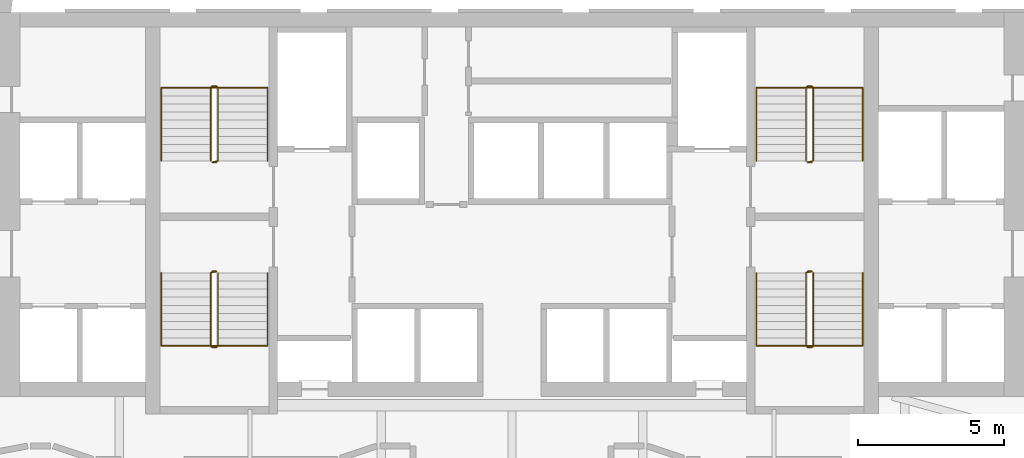
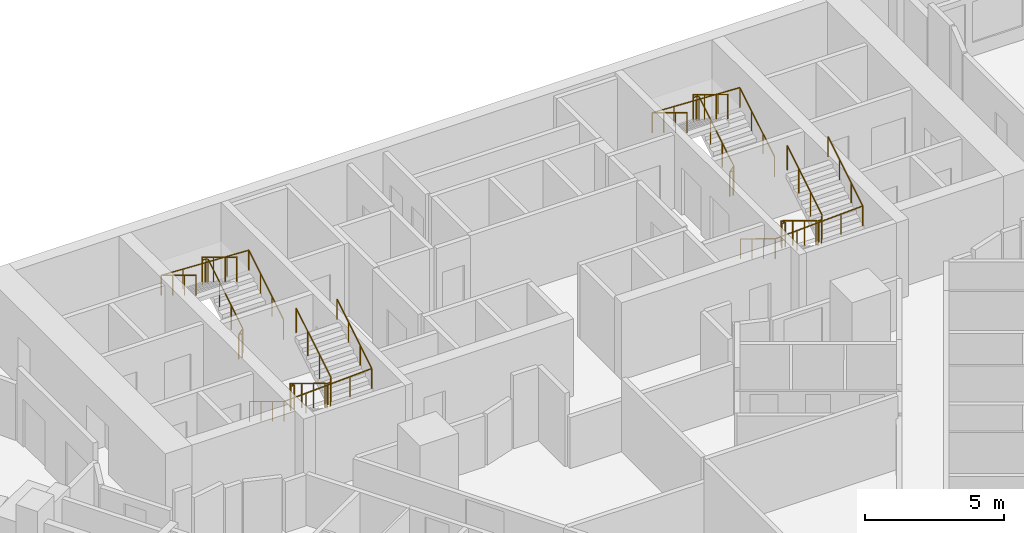
# One storey, part 12 of 12: 8 railings.
"""IFC4 building model written with IfcOpenShell, lengths in metres."""

from ifc_helpers import new_model, si_unit, direction, frame, origin, origin_2d, place, context, subcontext, project, spatial, circle, extrude, material, type_object, element, save


model = new_model("IFC4")

# Units and contexts
model_context = context("Model", 3, precision=1e-05, world=origin(), true_north=direction((0.0, 1.0)))
body_context = subcontext(model_context, "Body", "Model", "MODEL_VIEW")
ifc_project = project(units=[si_unit("LENGTHUNIT", "METRE"), si_unit("AREAUNIT", "SQUARE_METRE"), si_unit("VOLUMEUNIT", "CUBIC_METRE"), si_unit("PLANEANGLEUNIT", "RADIAN"), si_unit("MASSUNIT", "GRAM", prefix="KILO")], contexts=[model_context])

# Site, building, storey
site_placement = place(None, origin())
site = spatial("IfcSite", under=ifc_project, at=site_placement, CompositionType="ELEMENT")
building_placement = place(site_placement, origin())
building = spatial("IfcBuilding", under=site, at=building_placement, Name="Calabash Gate Tower", CompositionType="ELEMENT")
storey_placement = place(building_placement, frame((0.0, 0.0, 80.0)))
storey = spatial("IfcBuildingStorey", under=building, at=storey_placement, Name="L16", CompositionType="ELEMENT", Elevation=80.0)

# Railings
ifc_material_1 = material(Name="Black powder-coated steel balusters", Category="steel")
railing_type_1 = type_object("IfcRailingType", Name="Stair guard RL1100", PredefinedType="GUARDRAIL", material=ifc_material_1)
railing_1_placement = place(storey_placement, frame((-10.14990234375, 13.902587890625, 0.0)))
element("IfcRailing", 1, at=railing_1_placement, inside=storey, type_object=railing_type_1, Name="L16 ST1 stair guard 1", PredefinedType="GUARDRAIL", context=body_context, shape_type="SweptSolid", body=[
    extrude(circle(Radius=0.02392578125, at=origin_2d()), frame((0.0, 0.0, 1.076171875), z_axis=(-1.0, 0.0, 0.0), x_axis=(0.0, -1.0, 0.0)), (0.0, 0.0, 1.0), 0.150146484375),
    extrude(circle(Radius=0.02392578125, at=origin_2d()), frame((-0.150146484375, 0.0, 1.076171875), z_axis=(0.748514443355, 0.187357095101, 0.636100186295), x_axis=(-0.242814311512, 0.970072785993, 0.0)), (0.0, 0.0, 1.0), 0.26708984375),
    extrude(circle(Radius=0.02392578125, at=origin_2d()), frame((0.0498046875, 0.050048828125, 1.24609375), z_axis=(0.0, 0.853956361026, 0.520344629514), x_axis=(-1.0, 0.0, 0.0)), (0.0, 0.0, 1.0), 2.9404296875),
    extrude(circle(Radius=0.02392578125, at=origin_2d()), frame((0.0498046875, 2.56103515625, 2.77587890625), z_axis=(-0.705375805398, 0.708833529934, 0.0), x_axis=(-0.708833529934, -0.705375805398, 0.0)), (0.0, 0.0, 1.0), 0.070556640625),
    extrude(circle(Radius=0.02392578125, at=origin_2d()), frame((0.0, 2.611083984375, 2.77587890625), z_axis=(-1.0, 0.0, 0.0), x_axis=(0.0, -1.0, 0.0)), (0.0, 0.0, 1.0), 0.150146484375),
    extrude(circle(Radius=0.02392578125, at=origin_2d()), frame((-0.150146484375, 2.611083984375, 2.77587890625), z_axis=(-0.271562723297, -0.271562723297, 0.923313259209), x_axis=(0.707106781187, -0.707106781187, 0.0)), (0.0, 0.0, 1.0), 0.184326171875),
    extrude(circle(Radius=0.02392578125, at=origin_2d()), frame((-0.2001953125, 2.56103515625, 2.9462890625), z_axis=(0.0, -0.853993254676, 0.52028407718), x_axis=(1.0, 0.0, 0.0)), (0.0, 0.0, 1.0), 2.940185546875),
    extrude(circle(Radius=0.02099609375, at=origin_2d()), origin(), (0.0, 0.0, 1.0), 1.052001953125),
    extrude(circle(Radius=0.02099609375, at=origin_2d()), frame((-0.150146484375, 0.0, 0.0)), (0.0, 0.0, 1.0), 1.052001953125),
    extrude(circle(Radius=0.02099609375, at=origin_2d()), frame((0.0498046875, 0.050048828125, 0.169921875)), (0.0, 0.0, 1.0), 1.052001953125),
    extrude(circle(Radius=0.02099609375, at=origin_2d()), frame((0.0498046875, 0.886962890625, 0.679931640625)), (0.0, 0.0, 1.0), 1.052001953125),
    extrude(circle(Radius=0.02099609375, at=origin_2d()), frame((0.0498046875, 1.72412109375, 1.18994140625)), (0.0, 0.0, 1.0), 1.052001953125),
    extrude(circle(Radius=0.02099609375, at=origin_2d()), frame((0.0498046875, 2.56103515625, 1.699951171875)), (0.0, 0.0, 1.0), 1.052001953125),
    extrude(circle(Radius=0.02099609375, at=origin_2d()), frame((0.0, 2.611083984375, 1.699951171875)), (0.0, 0.0, 1.0), 1.052001953125),
    extrude(circle(Radius=0.02099609375, at=origin_2d()), frame((-0.150146484375, 2.611083984375, 1.699951171875)), (0.0, 0.0, 1.0), 1.052001953125),
    extrude(circle(Radius=0.02099609375, at=origin_2d()), frame((-0.2001953125, 2.56103515625, 1.8701171875)), (0.0, 0.0, 1.0), 1.052001953125),
    extrude(circle(Radius=0.02099609375, at=origin_2d()), frame((-0.2001953125, 1.72412109375, 2.380126953125)), (0.0, 0.0, 1.0), 1.052001953125),
    extrude(circle(Radius=0.02099609375, at=origin_2d()), frame((-0.2001953125, 0.886962890625, 2.889892578125)), (0.0, 0.0, 1.0), 1.052001953125),
    extrude(circle(Radius=0.02099609375, at=origin_2d()), frame((-0.2001953125, 0.050048828125, 3.39990234375)), (0.0, 0.0, 1.0), 1.052001953125),
])
railing_2_placement = place(storey_placement, frame((-10.300048828125, 10.152587890625, 0.0)))
element("IfcRailing", 2, at=railing_2_placement, inside=storey, type_object=railing_type_1, Name="L16 ST2 stair guard 1", PredefinedType="GUARDRAIL", context=body_context, shape_type="SweptSolid", body=[
    extrude(circle(Radius=0.02392578125, at=origin_2d()), frame((0.0, 0.0, 1.076171875), z_axis=(1.0, 0.0, 0.0), x_axis=(0.0, 1.0, 0.0)), (0.0, 0.0, 1.0), 0.150146484375),
    extrude(circle(Radius=0.02392578125, at=origin_2d()), frame((0.150146484375, 0.0, 1.076171875), z_axis=(-0.748915913269, -0.187228978317, 0.635665214189), x_axis=(0.242535625036, -0.970142500145, 0.0)), (0.0, 0.0, 1.0), 0.267333984375),
    extrude(circle(Radius=0.02392578125, at=origin_2d()), frame((-0.050048828125, -0.050048828125, 1.24609375), z_axis=(0.0, -0.853956361026, 0.520344629514), x_axis=(1.0, 0.0, 0.0)), (0.0, 0.0, 1.0), 2.9404296875),
    extrude(circle(Radius=0.02392578125, at=origin_2d()), frame((-0.050048828125, -2.56103515625, 2.77587890625), z_axis=(0.707106781187, -0.707106781187, 0.0), x_axis=(0.707106781187, 0.707106781187, 0.0)), (0.0, 0.0, 1.0), 0.07080078125),
    extrude(circle(Radius=0.02392578125, at=origin_2d()), frame((0.0, -2.611083984375, 2.77587890625), z_axis=(1.0, 0.0, 0.0), x_axis=(0.0, 1.0, 0.0)), (0.0, 0.0, 1.0), 0.150146484375),
    extrude(circle(Radius=0.02392578125, at=origin_2d()), frame((0.150146484375, -2.611083984375, 2.77587890625), z_axis=(0.270335057127, 0.271660228976, 0.923644778517), x_axis=(-0.708833529934, 0.705375805398, 0.0)), (0.0, 0.0, 1.0), 0.184326171875),
    extrude(circle(Radius=0.02392578125, at=origin_2d()), frame((0.199951171875, -2.56103515625, 2.9462890625), z_axis=(0.0, 0.853993254676, 0.52028407718), x_axis=(-1.0, 0.0, 0.0)), (0.0, 0.0, 1.0), 2.940185546875),
    extrude(circle(Radius=0.02099609375, at=origin_2d()), origin(), (0.0, 0.0, 1.0), 1.052001953125),
    extrude(circle(Radius=0.02099609375, at=origin_2d()), frame((0.150146484375, 0.0, 0.0)), (0.0, 0.0, 1.0), 1.052001953125),
    extrude(circle(Radius=0.02099609375, at=origin_2d()), frame((-0.050048828125, -0.050048828125, 0.169921875)), (0.0, 0.0, 1.0), 1.052001953125),
    extrude(circle(Radius=0.02099609375, at=origin_2d()), frame((-0.050048828125, -0.886962890625, 0.679931640625)), (0.0, 0.0, 1.0), 1.052001953125),
    extrude(circle(Radius=0.02099609375, at=origin_2d()), frame((-0.050048828125, -1.72412109375, 1.18994140625)), (0.0, 0.0, 1.0), 1.052001953125),
    extrude(circle(Radius=0.02099609375, at=origin_2d()), frame((-0.050048828125, -2.56103515625, 1.699951171875)), (0.0, 0.0, 1.0), 1.052001953125),
    extrude(circle(Radius=0.02099609375, at=origin_2d()), frame((0.0, -2.611083984375, 1.699951171875)), (0.0, 0.0, 1.0), 1.052001953125),
    extrude(circle(Radius=0.02099609375, at=origin_2d()), frame((0.150146484375, -2.611083984375, 1.699951171875)), (0.0, 0.0, 1.0), 1.052001953125),
    extrude(circle(Radius=0.02099609375, at=origin_2d()), frame((0.199951171875, -2.56103515625, 1.8701171875)), (0.0, 0.0, 1.0), 1.052001953125),
    extrude(circle(Radius=0.02099609375, at=origin_2d()), frame((0.199951171875, -1.72412109375, 2.380126953125)), (0.0, 0.0, 1.0), 1.052001953125),
    extrude(circle(Radius=0.02099609375, at=origin_2d()), frame((0.199951171875, -0.886962890625, 2.889892578125)), (0.0, 0.0, 1.0), 1.052001953125),
    extrude(circle(Radius=0.02099609375, at=origin_2d()), frame((0.199951171875, -0.050048828125, 3.39990234375)), (0.0, 0.0, 1.0), 1.052001953125),
])
railing_3_placement = place(storey_placement, frame((10.300048828125, 13.902587890625, 0.0)))
element("IfcRailing", 3, at=railing_3_placement, inside=storey, type_object=railing_type_1, Name="L16 ST3 stair guard 1", PredefinedType="GUARDRAIL", context=body_context, shape_type="SweptSolid", body=[
    extrude(circle(Radius=0.02392578125, at=origin_2d()), frame((0.0, 0.0, 1.076171875), z_axis=(-1.0, 0.0, 0.0), x_axis=(0.0, -1.0, 0.0)), (0.0, 0.0, 1.0), 0.150146484375),
    extrude(circle(Radius=0.02392578125, at=origin_2d()), frame((-0.150146484375, 0.0, 1.076171875), z_axis=(0.748915913269, 0.187228978317, 0.635665214189), x_axis=(-0.242535625036, 0.970142500145, 0.0)), (0.0, 0.0, 1.0), 0.267333984375),
    extrude(circle(Radius=0.02392578125, at=origin_2d()), frame((0.050048828125, 0.050048828125, 1.24609375), z_axis=(0.0, 0.853956361026, 0.520344629514), x_axis=(-1.0, 0.0, 0.0)), (0.0, 0.0, 1.0), 2.9404296875),
    extrude(circle(Radius=0.02392578125, at=origin_2d()), frame((0.050048828125, 2.56103515625, 2.77587890625), z_axis=(-0.707106781187, 0.707106781187, 0.0), x_axis=(-0.707106781187, -0.707106781187, 0.0)), (0.0, 0.0, 1.0), 0.07080078125),
    extrude(circle(Radius=0.02392578125, at=origin_2d()), frame((0.0, 2.611083984375, 2.77587890625), z_axis=(-1.0, 0.0, 0.0), x_axis=(0.0, -1.0, 0.0)), (0.0, 0.0, 1.0), 0.150146484375),
    extrude(circle(Radius=0.02392578125, at=origin_2d()), frame((-0.150146484375, 2.611083984375, 2.77587890625), z_axis=(-0.270335057127, -0.271660228976, 0.923644778517), x_axis=(0.708833529934, -0.705375805398, 0.0)), (0.0, 0.0, 1.0), 0.184326171875),
    extrude(circle(Radius=0.02392578125, at=origin_2d()), frame((-0.199951171875, 2.56103515625, 2.9462890625), z_axis=(0.0, -0.853993254676, 0.52028407718), x_axis=(1.0, 0.0, 0.0)), (0.0, 0.0, 1.0), 2.940185546875),
    extrude(circle(Radius=0.02099609375, at=origin_2d()), origin(), (0.0, 0.0, 1.0), 1.052001953125),
    extrude(circle(Radius=0.02099609375, at=origin_2d()), frame((-0.150146484375, 0.0, 0.0)), (0.0, 0.0, 1.0), 1.052001953125),
    extrude(circle(Radius=0.02099609375, at=origin_2d()), frame((0.050048828125, 0.050048828125, 0.169921875)), (0.0, 0.0, 1.0), 1.052001953125),
    extrude(circle(Radius=0.02099609375, at=origin_2d()), frame((0.050048828125, 0.886962890625, 0.679931640625)), (0.0, 0.0, 1.0), 1.052001953125),
    extrude(circle(Radius=0.02099609375, at=origin_2d()), frame((0.050048828125, 1.72412109375, 1.18994140625)), (0.0, 0.0, 1.0), 1.052001953125),
    extrude(circle(Radius=0.02099609375, at=origin_2d()), frame((0.050048828125, 2.56103515625, 1.699951171875)), (0.0, 0.0, 1.0), 1.052001953125),
    extrude(circle(Radius=0.02099609375, at=origin_2d()), frame((0.0, 2.611083984375, 1.699951171875)), (0.0, 0.0, 1.0), 1.052001953125),
    extrude(circle(Radius=0.02099609375, at=origin_2d()), frame((-0.150146484375, 2.611083984375, 1.699951171875)), (0.0, 0.0, 1.0), 1.052001953125),
    extrude(circle(Radius=0.02099609375, at=origin_2d()), frame((-0.199951171875, 2.56103515625, 1.8701171875)), (0.0, 0.0, 1.0), 1.052001953125),
    extrude(circle(Radius=0.02099609375, at=origin_2d()), frame((-0.199951171875, 1.72412109375, 2.380126953125)), (0.0, 0.0, 1.0), 1.052001953125),
    extrude(circle(Radius=0.02099609375, at=origin_2d()), frame((-0.199951171875, 0.886962890625, 2.889892578125)), (0.0, 0.0, 1.0), 1.052001953125),
    extrude(circle(Radius=0.02099609375, at=origin_2d()), frame((-0.199951171875, 0.050048828125, 3.39990234375)), (0.0, 0.0, 1.0), 1.052001953125),
])
railing_4_placement = place(storey_placement, frame((10.14990234375, 10.152587890625, 0.0)))
element("IfcRailing", 4, at=railing_4_placement, inside=storey, type_object=railing_type_1, Name="L16 ST4 stair guard 1", PredefinedType="GUARDRAIL", context=body_context, shape_type="SweptSolid", body=[
    extrude(circle(Radius=0.02392578125, at=origin_2d()), frame((0.0, 0.0, 1.076171875), z_axis=(1.0, 0.0, 0.0), x_axis=(0.0, 1.0, 0.0)), (0.0, 0.0, 1.0), 0.150146484375),
    extrude(circle(Radius=0.02392578125, at=origin_2d()), frame((0.150146484375, 0.0, 1.076171875), z_axis=(-0.748514443355, -0.187357095101, 0.636100186295), x_axis=(0.242814311512, -0.970072785993, 0.0)), (0.0, 0.0, 1.0), 0.26708984375),
    extrude(circle(Radius=0.02392578125, at=origin_2d()), frame((-0.0498046875, -0.050048828125, 1.24609375), z_axis=(0.0, -0.853956361026, 0.520344629514), x_axis=(1.0, 0.0, 0.0)), (0.0, 0.0, 1.0), 2.9404296875),
    extrude(circle(Radius=0.02392578125, at=origin_2d()), frame((-0.0498046875, -2.56103515625, 2.77587890625), z_axis=(0.705375805398, -0.708833529934, 0.0), x_axis=(0.708833529934, 0.705375805398, 0.0)), (0.0, 0.0, 1.0), 0.070556640625),
    extrude(circle(Radius=0.02392578125, at=origin_2d()), frame((0.0, -2.611083984375, 2.77587890625), z_axis=(1.0, 0.0, 0.0), x_axis=(0.0, 1.0, 0.0)), (0.0, 0.0, 1.0), 0.150146484375),
    extrude(circle(Radius=0.02392578125, at=origin_2d()), frame((0.150146484375, -2.611083984375, 2.77587890625), z_axis=(0.271562723297, 0.271562723297, 0.923313259209), x_axis=(-0.707106781187, 0.707106781187, 0.0)), (0.0, 0.0, 1.0), 0.184326171875),
    extrude(circle(Radius=0.02392578125, at=origin_2d()), frame((0.2001953125, -2.56103515625, 2.9462890625), z_axis=(0.0, 0.853993254676, 0.52028407718), x_axis=(-1.0, 0.0, 0.0)), (0.0, 0.0, 1.0), 2.940185546875),
    extrude(circle(Radius=0.02099609375, at=origin_2d()), origin(), (0.0, 0.0, 1.0), 1.052001953125),
    extrude(circle(Radius=0.02099609375, at=origin_2d()), frame((0.150146484375, 0.0, 0.0)), (0.0, 0.0, 1.0), 1.052001953125),
    extrude(circle(Radius=0.02099609375, at=origin_2d()), frame((-0.0498046875, -0.050048828125, 0.169921875)), (0.0, 0.0, 1.0), 1.052001953125),
    extrude(circle(Radius=0.02099609375, at=origin_2d()), frame((-0.0498046875, -0.886962890625, 0.679931640625)), (0.0, 0.0, 1.0), 1.052001953125),
    extrude(circle(Radius=0.02099609375, at=origin_2d()), frame((-0.0498046875, -1.72412109375, 1.18994140625)), (0.0, 0.0, 1.0), 1.052001953125),
    extrude(circle(Radius=0.02099609375, at=origin_2d()), frame((-0.0498046875, -2.56103515625, 1.699951171875)), (0.0, 0.0, 1.0), 1.052001953125),
    extrude(circle(Radius=0.02099609375, at=origin_2d()), frame((0.0, -2.611083984375, 1.699951171875)), (0.0, 0.0, 1.0), 1.052001953125),
    extrude(circle(Radius=0.02099609375, at=origin_2d()), frame((0.150146484375, -2.611083984375, 1.699951171875)), (0.0, 0.0, 1.0), 1.052001953125),
    extrude(circle(Radius=0.02099609375, at=origin_2d()), frame((0.2001953125, -2.56103515625, 1.8701171875)), (0.0, 0.0, 1.0), 1.052001953125),
    extrude(circle(Radius=0.02099609375, at=origin_2d()), frame((0.2001953125, -1.72412109375, 2.380126953125)), (0.0, 0.0, 1.0), 1.052001953125),
    extrude(circle(Radius=0.02099609375, at=origin_2d()), frame((0.2001953125, -0.886962890625, 2.889892578125)), (0.0, 0.0, 1.0), 1.052001953125),
    extrude(circle(Radius=0.02099609375, at=origin_2d()), frame((0.2001953125, -0.050048828125, 3.39990234375)), (0.0, 0.0, 1.0), 1.052001953125),
])
ifc_material_2 = material(Name="Black powder-coated steel tube 48 mm", Category="steel")
railing_type_2 = type_object("IfcRailingType", Name="Stair handrail RL900", PredefinedType="HANDRAIL", material=ifc_material_2)
railing_5_placement = place(storey_placement, frame((-8.39990234375, 13.95263671875, 0.169921875)))
element("IfcRailing", 5, at=railing_5_placement, inside=storey, type_object=railing_type_2, Name="L16 ST1 stair handrail 1", PredefinedType="HANDRAIL", context=body_context, shape_type="SweptSolid", body=[
    extrude(circle(Radius=0.02392578125, at=origin_2d()), frame((0.0, 0.0, 0.8759765625), z_axis=(0.0, 0.853956361026, 0.520344629514), x_axis=(-1.0, 0.0, 0.0)), (0.0, 0.0, 1.0), 2.9404296875),
    extrude(circle(Radius=0.02392578125, at=origin_2d()), frame((0.0, 2.510986328125, 2.40576171875), z_axis=(-0.99891510456, 0.0, 0.046568378562), x_axis=(0.0, -1.0, 0.0)), (0.0, 0.0, 1.0), 3.654052734375),
    extrude(circle(Radius=0.02392578125, at=origin_2d()), frame((-3.650146484375, 2.510986328125, 2.576171875), z_axis=(0.0, -0.853993254676, 0.52028407718), x_axis=(1.0, 0.0, 0.0)), (0.0, 0.0, 1.0), 2.940185546875),
    extrude(circle(Radius=0.02099609375, at=origin_2d()), origin(), (0.0, 0.0, 1.0), 0.851806640625),
    extrude(circle(Radius=0.02099609375, at=origin_2d()), frame((0.0, 0.8369140625, 0.510009765625)), (0.0, 0.0, 1.0), 0.851806640625),
    extrude(circle(Radius=0.02099609375, at=origin_2d()), frame((0.0, 1.674072265625, 1.02001953125)), (0.0, 0.0, 1.0), 0.851806640625),
    extrude(circle(Radius=0.02099609375, at=origin_2d()), frame((0.0, 2.510986328125, 1.530029296875)), (0.0, 0.0, 1.0), 0.851806640625),
    extrude(circle(Radius=0.02099609375, at=origin_2d()), frame((-0.91259765625, 2.510986328125, 1.572509765625)), (0.0, 0.0, 1.0), 0.851806640625),
    extrude(circle(Radius=0.02099609375, at=origin_2d()), frame((-1.8251953125, 2.510986328125, 1.615234375)), (0.0, 0.0, 1.0), 0.851806640625),
    extrude(circle(Radius=0.02099609375, at=origin_2d()), frame((-2.737548828125, 2.510986328125, 1.65771484375)), (0.0, 0.0, 1.0), 0.851806640625),
    extrude(circle(Radius=0.02099609375, at=origin_2d()), frame((-3.650146484375, 2.510986328125, 1.7001953125)), (0.0, 0.0, 1.0), 0.851806640625),
    extrude(circle(Radius=0.02099609375, at=origin_2d()), frame((-3.650146484375, 1.674072265625, 2.210205078125)), (0.0, 0.0, 1.0), 0.851806640625),
    extrude(circle(Radius=0.02099609375, at=origin_2d()), frame((-3.650146484375, 0.8369140625, 2.719970703125)), (0.0, 0.0, 1.0), 0.851806640625),
    extrude(circle(Radius=0.02099609375, at=origin_2d()), frame((-3.650146484375, 0.0, 3.22998046875)), (0.0, 0.0, 1.0), 0.851806640625),
])
railing_6_placement = place(storey_placement, frame((-12.050048828125, 10.1025390625, 0.169921875)))
element("IfcRailing", 6, at=railing_6_placement, inside=storey, type_object=railing_type_2, Name="L16 ST2 stair handrail 1", PredefinedType="HANDRAIL", context=body_context, shape_type="SweptSolid", body=[
    extrude(circle(Radius=0.02392578125, at=origin_2d()), frame((0.0, 0.0, 0.8759765625), z_axis=(0.0, -0.853956361026, 0.520344629514), x_axis=(1.0, 0.0, 0.0)), (0.0, 0.0, 1.0), 2.9404296875),
    extrude(circle(Radius=0.02392578125, at=origin_2d()), frame((0.0, -2.510986328125, 2.40576171875), z_axis=(0.99891510456, 0.0, 0.046568378562), x_axis=(0.0, 1.0, 0.0)), (0.0, 0.0, 1.0), 3.654052734375),
    extrude(circle(Radius=0.02392578125, at=origin_2d()), frame((3.650146484375, -2.510986328125, 2.576171875), z_axis=(0.0, 0.853993254676, 0.52028407718), x_axis=(-1.0, 0.0, 0.0)), (0.0, 0.0, 1.0), 2.940185546875),
    extrude(circle(Radius=0.02099609375, at=origin_2d()), origin(), (0.0, 0.0, 1.0), 0.851806640625),
    extrude(circle(Radius=0.02099609375, at=origin_2d()), frame((0.0, -0.8369140625, 0.510009765625)), (0.0, 0.0, 1.0), 0.851806640625),
    extrude(circle(Radius=0.02099609375, at=origin_2d()), frame((0.0, -1.674072265625, 1.02001953125)), (0.0, 0.0, 1.0), 0.851806640625),
    extrude(circle(Radius=0.02099609375, at=origin_2d()), frame((0.0, -2.510986328125, 1.530029296875)), (0.0, 0.0, 1.0), 0.851806640625),
    extrude(circle(Radius=0.02099609375, at=origin_2d()), frame((0.91259765625, -2.510986328125, 1.572509765625)), (0.0, 0.0, 1.0), 0.851806640625),
    extrude(circle(Radius=0.02099609375, at=origin_2d()), frame((1.8251953125, -2.510986328125, 1.615234375)), (0.0, 0.0, 1.0), 0.851806640625),
    extrude(circle(Radius=0.02099609375, at=origin_2d()), frame((2.737548828125, -2.510986328125, 1.65771484375)), (0.0, 0.0, 1.0), 0.851806640625),
    extrude(circle(Radius=0.02099609375, at=origin_2d()), frame((3.650146484375, -2.510986328125, 1.7001953125)), (0.0, 0.0, 1.0), 0.851806640625),
    extrude(circle(Radius=0.02099609375, at=origin_2d()), frame((3.650146484375, -1.674072265625, 2.210205078125)), (0.0, 0.0, 1.0), 0.851806640625),
    extrude(circle(Radius=0.02099609375, at=origin_2d()), frame((3.650146484375, -0.8369140625, 2.719970703125)), (0.0, 0.0, 1.0), 0.851806640625),
    extrude(circle(Radius=0.02099609375, at=origin_2d()), frame((3.650146484375, 0.0, 3.22998046875)), (0.0, 0.0, 1.0), 0.851806640625),
])
railing_7_placement = place(storey_placement, frame((12.050048828125, 13.95263671875, 0.169921875)))
element("IfcRailing", 7, at=railing_7_placement, inside=storey, type_object=railing_type_2, Name="L16 ST3 stair handrail 1", PredefinedType="HANDRAIL", context=body_context, shape_type="SweptSolid", body=[
    extrude(circle(Radius=0.02392578125, at=origin_2d()), frame((0.0, 0.0, 0.8759765625), z_axis=(0.0, 0.853956361026, 0.520344629514), x_axis=(-1.0, 0.0, 0.0)), (0.0, 0.0, 1.0), 2.9404296875),
    extrude(circle(Radius=0.02392578125, at=origin_2d()), frame((0.0, 2.510986328125, 2.40576171875), z_axis=(-0.99891510456, 0.0, 0.046568378562), x_axis=(0.0, -1.0, 0.0)), (0.0, 0.0, 1.0), 3.654052734375),
    extrude(circle(Radius=0.02392578125, at=origin_2d()), frame((-3.650146484375, 2.510986328125, 2.576171875), z_axis=(0.0, -0.853993254676, 0.52028407718), x_axis=(1.0, 0.0, 0.0)), (0.0, 0.0, 1.0), 2.940185546875),
    extrude(circle(Radius=0.02099609375, at=origin_2d()), origin(), (0.0, 0.0, 1.0), 0.851806640625),
    extrude(circle(Radius=0.02099609375, at=origin_2d()), frame((0.0, 0.8369140625, 0.510009765625)), (0.0, 0.0, 1.0), 0.851806640625),
    extrude(circle(Radius=0.02099609375, at=origin_2d()), frame((0.0, 1.674072265625, 1.02001953125)), (0.0, 0.0, 1.0), 0.851806640625),
    extrude(circle(Radius=0.02099609375, at=origin_2d()), frame((0.0, 2.510986328125, 1.530029296875)), (0.0, 0.0, 1.0), 0.851806640625),
    extrude(circle(Radius=0.02099609375, at=origin_2d()), frame((-0.91259765625, 2.510986328125, 1.572509765625)), (0.0, 0.0, 1.0), 0.851806640625),
    extrude(circle(Radius=0.02099609375, at=origin_2d()), frame((-1.8251953125, 2.510986328125, 1.615234375)), (0.0, 0.0, 1.0), 0.851806640625),
    extrude(circle(Radius=0.02099609375, at=origin_2d()), frame((-2.737548828125, 2.510986328125, 1.65771484375)), (0.0, 0.0, 1.0), 0.851806640625),
    extrude(circle(Radius=0.02099609375, at=origin_2d()), frame((-3.650146484375, 2.510986328125, 1.7001953125)), (0.0, 0.0, 1.0), 0.851806640625),
    extrude(circle(Radius=0.02099609375, at=origin_2d()), frame((-3.650146484375, 1.674072265625, 2.210205078125)), (0.0, 0.0, 1.0), 0.851806640625),
    extrude(circle(Radius=0.02099609375, at=origin_2d()), frame((-3.650146484375, 0.8369140625, 2.719970703125)), (0.0, 0.0, 1.0), 0.851806640625),
    extrude(circle(Radius=0.02099609375, at=origin_2d()), frame((-3.650146484375, 0.0, 3.22998046875)), (0.0, 0.0, 1.0), 0.851806640625),
])
railing_8_placement = place(storey_placement, frame((8.39990234375, 10.1025390625, 0.169921875)))
element("IfcRailing", 8, at=railing_8_placement, inside=storey, type_object=railing_type_2, Name="L16 ST4 stair handrail 1", PredefinedType="HANDRAIL", context=body_context, shape_type="SweptSolid", body=[
    extrude(circle(Radius=0.02392578125, at=origin_2d()), frame((0.0, 0.0, 0.8759765625), z_axis=(0.0, -0.853956361026, 0.520344629514), x_axis=(1.0, 0.0, 0.0)), (0.0, 0.0, 1.0), 2.9404296875),
    extrude(circle(Radius=0.02392578125, at=origin_2d()), frame((0.0, -2.510986328125, 2.40576171875), z_axis=(0.99891510456, 0.0, 0.046568378562), x_axis=(0.0, 1.0, 0.0)), (0.0, 0.0, 1.0), 3.654052734375),
    extrude(circle(Radius=0.02392578125, at=origin_2d()), frame((3.650146484375, -2.510986328125, 2.576171875), z_axis=(0.0, 0.853993254676, 0.52028407718), x_axis=(-1.0, 0.0, 0.0)), (0.0, 0.0, 1.0), 2.940185546875),
    extrude(circle(Radius=0.02099609375, at=origin_2d()), origin(), (0.0, 0.0, 1.0), 0.851806640625),
    extrude(circle(Radius=0.02099609375, at=origin_2d()), frame((0.0, -0.8369140625, 0.510009765625)), (0.0, 0.0, 1.0), 0.851806640625),
    extrude(circle(Radius=0.02099609375, at=origin_2d()), frame((0.0, -1.674072265625, 1.02001953125)), (0.0, 0.0, 1.0), 0.851806640625),
    extrude(circle(Radius=0.02099609375, at=origin_2d()), frame((0.0, -2.510986328125, 1.530029296875)), (0.0, 0.0, 1.0), 0.851806640625),
    extrude(circle(Radius=0.02099609375, at=origin_2d()), frame((0.91259765625, -2.510986328125, 1.572509765625)), (0.0, 0.0, 1.0), 0.851806640625),
    extrude(circle(Radius=0.02099609375, at=origin_2d()), frame((1.8251953125, -2.510986328125, 1.615234375)), (0.0, 0.0, 1.0), 0.851806640625),
    extrude(circle(Radius=0.02099609375, at=origin_2d()), frame((2.737548828125, -2.510986328125, 1.65771484375)), (0.0, 0.0, 1.0), 0.851806640625),
    extrude(circle(Radius=0.02099609375, at=origin_2d()), frame((3.650146484375, -2.510986328125, 1.7001953125)), (0.0, 0.0, 1.0), 0.851806640625),
    extrude(circle(Radius=0.02099609375, at=origin_2d()), frame((3.650146484375, -1.674072265625, 2.210205078125)), (0.0, 0.0, 1.0), 0.851806640625),
    extrude(circle(Radius=0.02099609375, at=origin_2d()), frame((3.650146484375, -0.8369140625, 2.719970703125)), (0.0, 0.0, 1.0), 0.851806640625),
    extrude(circle(Radius=0.02099609375, at=origin_2d()), frame((3.650146484375, 0.0, 3.22998046875)), (0.0, 0.0, 1.0), 0.851806640625),
])

save(model, "model.ifc")
